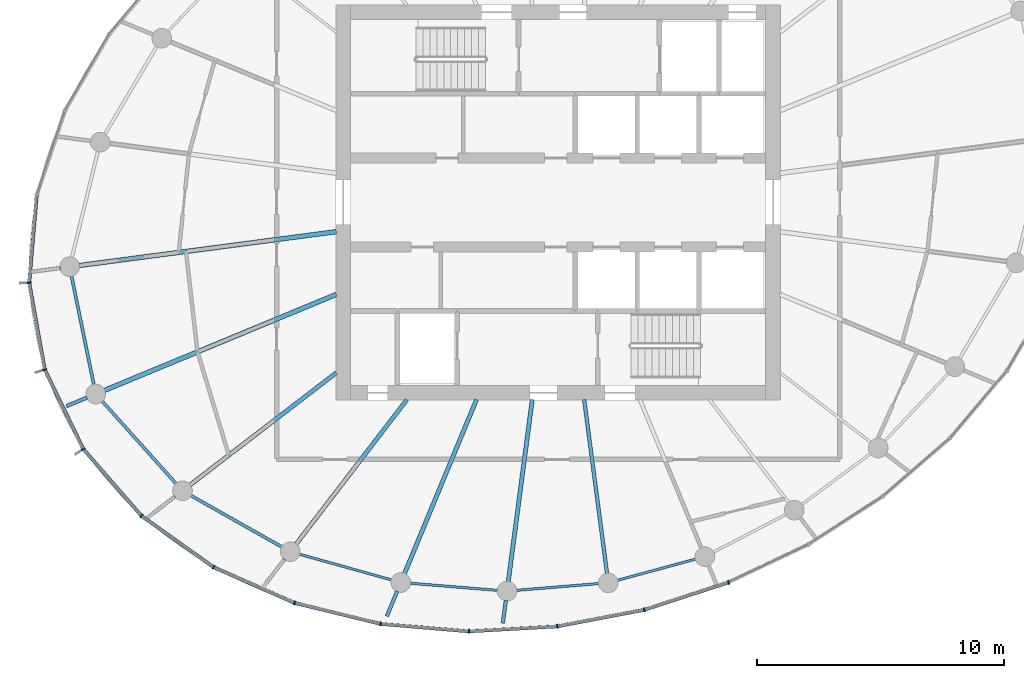
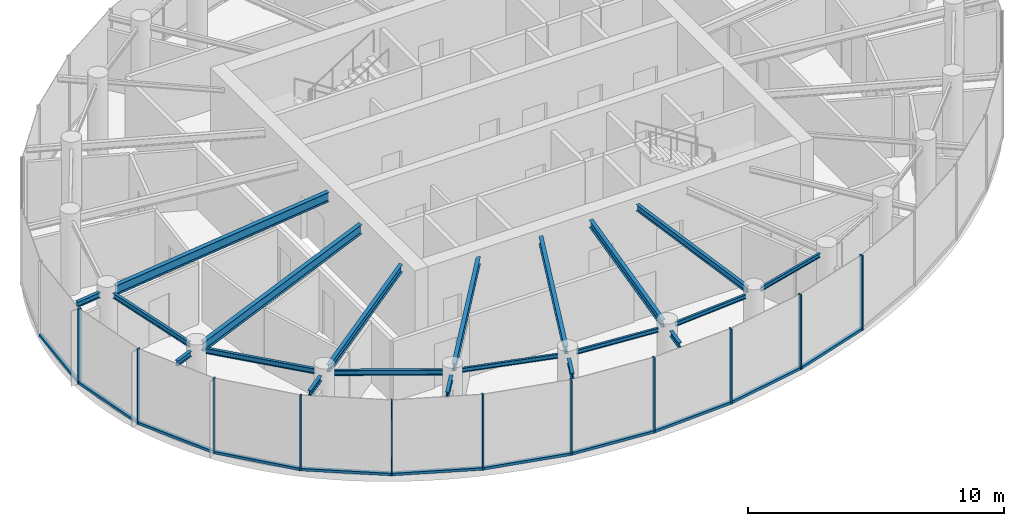
# One storey, part 2 of 13: 22 members, 20 beams, 3 elements without a shape of their own.
"""IFC4 building model written with IfcOpenShell, lengths in metres."""

from ifc_helpers import new_model, si_unit, direction, frame, origin, origin_2d, place, context, subcontext, project, spatial, rectangle, i_section, extrude, source, transform, mapped, material, layer, layer_set, material_profile, profile_set, type_object, element, aggregate, save


model = new_model("IFC4")

# Units and contexts
model_context = context("Model", 3, precision=1e-05, world=origin(), true_north=direction((0.0, 1.0)))
body_context = subcontext(model_context, "Body", "Model", "MODEL_VIEW")
ifc_project = project(units=[si_unit("LENGTHUNIT", "METRE"), si_unit("AREAUNIT", "SQUARE_METRE"), si_unit("VOLUMEUNIT", "CUBIC_METRE"), si_unit("PLANEANGLEUNIT", "RADIAN"), si_unit("MASSUNIT", "GRAM", prefix="KILO")], contexts=[model_context])

# Site, building, storey
site_placement = place(None, origin())
site = spatial("IfcSite", under=ifc_project, at=site_placement, CompositionType="ELEMENT")
building_placement = place(site_placement, origin())
building = spatial("IfcBuilding", under=site, at=building_placement, Name="Spindrift Exchange Tower", CompositionType="ELEMENT")
storey_placement = place(building_placement, frame((0.0, 0.0, 250.10009765625)))
storey = spatial("IfcBuildingStorey", under=building, at=storey_placement, Name="L61", CompositionType="ELEMENT", Elevation=250.10009765625)

# Beams
ifc_material_1 = material(Name="Steel Grade 300", Category="steel")
ifc_material_profile_1 = material_profile(ifc_material_1, i_section(OverallWidth=0.18994140625, OverallDepth=0.4541015625, WebThickness=0.008544921875, FlangeThickness=0.0126953125, FilletRadius=0.013916015625, at=origin_2d()), Name="460UB67.1")
ifc_profile_set_1 = profile_set([ifc_material_profile_1], Name="Steel Grade 300")
beam_type_1 = type_object("IfcBeamType", Name="Floor Beam 460UB67.1 Steel Grade 300", PredefinedType="BEAM", material=ifc_profile_set_1)
shared_shape_1 = source(origin(), body_context, "Body", "SweptSolid", [
    extrude(i_section(OverallWidth=0.18994140625, OverallDepth=0.4541015625, WebThickness=0.008544921875, FlangeThickness=0.0126953125, FilletRadius=0.013916015625, at=origin_2d()), origin(), (0.0, 0.0, 1.0), 10.510009765625),
])
beam_1_placement = place(storey_placement, frame((43.019775390625, 46.817626953125, 3.352783203125), z_axis=(-0.991445042488, -0.130524816516, 0.0), x_axis=(0.130524816516, -0.991445042488, 0.0)))
element("IfcBeam", 1, at=beam_1_placement, inside=storey, type_object=beam_type_1, Name="L61 radial beam R13A", PredefinedType="BEAM", context=body_context, shape_type="MappedRepresentation", body=[
    mapped(shared_shape_1, transform((0.0, 0.0, 0.0), scale=1.0)),
])
shared_shape_2 = source(origin(), body_context, "Body", "SweptSolid", [
    extrude(i_section(OverallWidth=0.18994140625, OverallDepth=0.4541015625, WebThickness=0.008544921875, FlangeThickness=0.0126953125, FilletRadius=0.013916015625, at=origin_2d()), origin(), (0.0, 0.0, 1.0), 10.160400390625),
])
beam_2_placement = place(storey_placement, frame((43.0185546875, 44.27978515625, 3.352783203125), z_axis=(-0.923880358773, -0.382681437588, 0.0), x_axis=(0.382681437588, -0.923880358773, 0.0)))
element("IfcBeam", 2, at=beam_2_placement, inside=storey, type_object=beam_type_1, Name="L61 radial beam R14A", PredefinedType="BEAM", context=body_context, shape_type="MappedRepresentation", body=[
    mapped(shared_shape_2, transform((0.0, 0.0, 0.0), scale=1.0)),
])
ifc_material_profile_2 = material_profile(ifc_material_1, i_section(OverallWidth=0.1708984375, OverallDepth=0.35205078125, WebThickness=0.0068359375, FlangeThickness=0.009765625, FilletRadius=0.013916015625, at=origin_2d()), Name="360UB44.7")
ifc_profile_set_2 = profile_set([ifc_material_profile_2], Name="Steel Grade 300")
beam_type_2 = type_object("IfcBeamType", Name="Floor Beam 360UB44.7 Steel Grade 300", PredefinedType="BEAM", material=ifc_profile_set_2)
shared_shape_3 = source(origin(), body_context, "Body", "SweptSolid", [
    extrude(i_section(OverallWidth=0.1708984375, OverallDepth=0.35205078125, WebThickness=0.0068359375, FlangeThickness=0.009765625, FilletRadius=0.013916015625, at=origin_2d()), origin(), (0.0, 0.0, 1.0), 7.466796875),
])
beam_3_placement = place(storey_placement, frame((43.015869140625, 41.106201171875, 3.40380859375), z_axis=(-0.793360004804, -0.608752743548, 0.0), x_axis=(0.608752743548, -0.793360004804, 0.0)))
element("IfcBeam", 3, at=beam_3_placement, inside=storey, type_object=beam_type_2, Name="L61 radial beam R15A", PredefinedType="BEAM", context=body_context, shape_type="MappedRepresentation", body=[
    mapped(shared_shape_3, transform((0.0, 0.0, 0.0), scale=1.0)),
])
shared_shape_4 = source(origin(), body_context, "Body", "SweptSolid", [
    extrude(i_section(OverallWidth=0.1708984375, OverallDepth=0.35205078125, WebThickness=0.0068359375, FlangeThickness=0.009765625, FilletRadius=0.013916015625, at=origin_2d()), origin(), (0.0, 0.0, 1.0), 7.3740234375),
])
beam_4_placement = place(storey_placement, frame((45.87353515625, 40.015869140625, 3.40380859375), z_axis=(-0.608751913917, -0.793360641387, 0.0), x_axis=(0.793360641387, -0.608751913917, 0.0)))
element("IfcBeam", 4, at=beam_4_placement, inside=storey, type_object=beam_type_2, Name="L61 radial beam R16A", PredefinedType="BEAM", context=body_context, shape_type="MappedRepresentation", body=[
    mapped(shared_shape_4, transform((0.0, 0.0, 0.0), scale=1.0)),
])
shared_shape_5 = source(origin(), body_context, "Body", "SweptSolid", [
    extrude(i_section(OverallWidth=0.1708984375, OverallDepth=0.35205078125, WebThickness=0.0068359375, FlangeThickness=0.009765625, FilletRadius=0.013916015625, at=origin_2d()), origin(), (0.0, 0.0, 1.0), 7.630859375),
])
beam_5_placement = place(storey_placement, frame((48.69384765625, 40.0185546875, 3.40380859375), z_axis=(-0.382676740702, -0.92388230426, 0.0), x_axis=(0.92388230426, -0.382676740702, 0.0)))
element("IfcBeam", 5, at=beam_5_placement, inside=storey, type_object=beam_type_2, Name="L61 radial beam R17A", PredefinedType="BEAM", context=body_context, shape_type="MappedRepresentation", body=[
    mapped(shared_shape_5, transform((0.0, 0.0, 0.0), scale=1.0)),
])
shared_shape_6 = source(origin(), body_context, "Body", "SweptSolid", [
    extrude(i_section(OverallWidth=0.1708984375, OverallDepth=0.35205078125, WebThickness=0.0068359375, FlangeThickness=0.009765625, FilletRadius=0.013916015625, at=origin_2d()), origin(), (0.0, 0.0, 1.0), 7.43798828125),
])
beam_6_placement = place(storey_placement, frame((50.949462890625, 40.019775390625, 3.40380859375), z_axis=(-0.130540269579, -0.991443007953, 0.0), x_axis=(0.991443007953, -0.130540269579, 0.0)))
element("IfcBeam", 6, at=beam_6_placement, inside=storey, type_object=beam_type_2, Name="L61 radial beam R18A", PredefinedType="BEAM", context=body_context, shape_type="MappedRepresentation", body=[
    mapped(shared_shape_6, transform((0.0, 0.0, 0.0), scale=1.0)),
])
ifc_material_profile_3 = material_profile(ifc_material_1, i_section(OverallWidth=0.14892578125, OverallDepth=0.298095703125, WebThickness=0.005615234375, FlangeThickness=0.008056640625, FilletRadius=0.012939453125, at=origin_2d()), Name="310UB32.0")
ifc_profile_set_3 = profile_set([ifc_material_profile_3], Name="Steel Grade 300")
beam_type_3 = type_object("IfcBeamType", Name="Floor Beam 310UB32.0 Steel Grade 300", PredefinedType="BEAM", material=ifc_profile_set_3)
shared_shape_7 = source(origin(), body_context, "Body", "SweptSolid", [
    extrude(i_section(OverallWidth=0.14892578125, OverallDepth=0.298095703125, WebThickness=0.005615234375, FlangeThickness=0.008056640625, FilletRadius=0.012939453125, at=origin_2d()), origin(), (0.0, 0.0, 1.0), 7.099853515625),
])
beam_7_placement = place(storey_placement, frame((53.050537109375, 40.019775390625, 3.430908203125), z_axis=(0.130532789835, -0.991443992759, 0.0), x_axis=(0.991443992759, 0.130532789835, 0.0)))
element("IfcBeam", 7, at=beam_7_placement, inside=storey, type_object=beam_type_3, Name="L61 radial beam R19A", PredefinedType="BEAM", context=body_context, shape_type="MappedRepresentation", body=[
    mapped(shared_shape_7, transform((0.0, 0.0, 0.0), scale=1.0)),
])
ifc_material_profile_4 = material_profile(ifc_material_1, i_section(OverallWidth=0.1240234375, OverallDepth=0.248046875, WebThickness=0.0048828125, FlangeThickness=0.008056640625, FilletRadius=0.011962890625, at=origin_2d()), Name="250UB25.7")
ifc_profile_set_4 = profile_set([ifc_material_profile_4], Name="Steel Grade 300")
beam_type_4 = type_object("IfcBeamType", Name="Edge Beam 250UB25.7 Steel Grade 300", PredefinedType="SPANDREL", material=ifc_profile_set_4)
shared_shape_8 = source(origin(), body_context, "Body", "SweptSolid", [
    extrude(i_section(OverallWidth=0.1240234375, OverallDepth=0.248046875, WebThickness=0.0048828125, FlangeThickness=0.008056640625, FilletRadius=0.011962890625, at=origin_2d()), origin(), (0.0, 0.0, 1.0), 4.497802734375),
])
beam_8_placement = place(storey_placement, frame((32.299072265625, 45.024169921875, 3.455810546875), z_axis=(0.201217935785, -0.979546498293, 0.0), x_axis=(0.979546498293, 0.201217935785, 0.0)))
element("IfcBeam", 8, at=beam_8_placement, inside=storey, type_object=beam_type_4, Name="L61 edge beam E13", PredefinedType="SPANDREL", context=body_context, shape_type="MappedRepresentation", body=[
    mapped(shared_shape_8, transform((0.0, 0.0, 0.0), scale=1.0)),
])
shared_shape_9 = source(origin(), body_context, "Body", "SweptSolid", [
    extrude(i_section(OverallWidth=0.1240234375, OverallDepth=0.248046875, WebThickness=0.0048828125, FlangeThickness=0.008056640625, FilletRadius=0.011962890625, at=origin_2d()), origin(), (0.0, 0.0, 1.0), 4.499755859375),
])
beam_9_placement = place(storey_placement, frame((33.533935546875, 39.963134765625, 3.455810546875), z_axis=(0.667419502646, -0.744681950558, 0.0), x_axis=(0.744681950558, 0.667419502646, 0.0)))
element("IfcBeam", 9, at=beam_9_placement, inside=storey, type_object=beam_type_4, Name="L61 edge beam E14", PredefinedType="SPANDREL", context=body_context, shape_type="MappedRepresentation", body=[
    mapped(shared_shape_9, transform((0.0, 0.0, 0.0), scale=1.0)),
])
shared_shape_10 = source(origin(), body_context, "Body", "SweptSolid", [
    extrude(i_section(OverallWidth=0.1240234375, OverallDepth=0.248046875, WebThickness=0.0048828125, FlangeThickness=0.008056640625, FilletRadius=0.011962890625, at=origin_2d()), origin(), (0.0, 0.0, 1.0), 4.2509765625),
])
beam_10_placement = place(storey_placement, frame((37.121337890625, 36.142333984375, 3.455810546875), z_axis=(0.870615246867, -0.491964523033, 0.0), x_axis=(0.491964523033, 0.870615246867, 0.0)))
element("IfcBeam", 10, at=beam_10_placement, inside=storey, type_object=beam_type_4, Name="L61 edge beam E15", PredefinedType="SPANDREL", context=body_context, shape_type="MappedRepresentation", body=[
    mapped(shared_shape_10, transform((0.0, 0.0, 0.0), scale=1.0)),
])
ifc_material_profile_5 = material_profile(ifc_material_1, i_section(OverallWidth=0.09912109375, OverallDepth=0.197998046875, WebThickness=0.00439453125, FlangeThickness=0.007080078125, FilletRadius=0.010986328125, at=origin_2d()), Name="200UB18.2")
ifc_profile_set_5 = profile_set([ifc_material_profile_5], Name="Steel Grade 300")
beam_type_5 = type_object("IfcBeamType", Name="Edge Beam 200UB18.2 Steel Grade 300", PredefinedType="SPANDREL", material=ifc_profile_set_5)
shared_shape_11 = source(origin(), body_context, "Body", "SweptSolid", [
    extrude(i_section(OverallWidth=0.09912109375, OverallDepth=0.197998046875, WebThickness=0.00439453125, FlangeThickness=0.007080078125, FilletRadius=0.010986328125, at=origin_2d()), origin(), (0.0, 0.0, 1.0), 3.885498046875),
])
beam_11_placement = place(storey_placement, frame((41.519287109375, 33.761962890625, 3.48095703125), z_axis=(0.963333134661, -0.268308165482, 0.0), x_axis=(0.268308165482, 0.963333134661, 0.0)))
element("IfcBeam", 11, at=beam_11_placement, inside=storey, type_object=beam_type_5, Name="L61 edge beam E16", PredefinedType="SPANDREL", context=body_context, shape_type="MappedRepresentation", body=[
    mapped(shared_shape_11, transform((0.0, 0.0, 0.0), scale=1.0)),
])
shared_shape_12 = source(origin(), body_context, "Body", "SweptSolid", [
    extrude(i_section(OverallWidth=0.09912109375, OverallDepth=0.197998046875, WebThickness=0.00439453125, FlangeThickness=0.007080078125, FilletRadius=0.010986328125, at=origin_2d()), origin(), (0.0, 0.0, 1.0), 3.5546875),
])
beam_12_placement = place(storey_placement, frame((46.007080078125, 32.586669921875, 3.48095703125), z_axis=(0.996727103969, -0.080839842983, 0.0), x_axis=(0.080839842983, 0.996727103969, 0.0)))
element("IfcBeam", 12, at=beam_12_placement, inside=storey, type_object=beam_type_5, Name="L61 edge beam E17", PredefinedType="SPANDREL", context=body_context, shape_type="MappedRepresentation", body=[
    mapped(shared_shape_12, transform((0.0, 0.0, 0.0), scale=1.0)),
])
shared_shape_13 = source(origin(), body_context, "Body", "SweptSolid", [
    extrude(i_section(OverallWidth=0.09912109375, OverallDepth=0.197998046875, WebThickness=0.00439453125, FlangeThickness=0.007080078125, FilletRadius=0.010986328125, at=origin_2d()), origin(), (0.0, 0.0, 1.0), 3.351806640625),
])
beam_13_placement = place(storey_placement, frame((50.3076171875, 32.2998046875, 3.48095703125), z_axis=(0.996672670999, 0.081508201334, 0.0), x_axis=(-0.081508201334, 0.996672670999, 0.0)))
element("IfcBeam", 13, at=beam_13_placement, inside=storey, type_object=beam_type_5, Name="L61 edge beam E18", PredefinedType="SPANDREL", context=body_context, shape_type="MappedRepresentation", body=[
    mapped(shared_shape_13, transform((0.0, 0.0, 0.0), scale=1.0)),
])
shared_shape_14 = source(origin(), body_context, "Body", "SweptSolid", [
    extrude(i_section(OverallWidth=0.09912109375, OverallDepth=0.197998046875, WebThickness=0.00439453125, FlangeThickness=0.007080078125, FilletRadius=0.010986328125, at=origin_2d()), origin(), (0.0, 0.0, 1.0), 3.2919921875),
])
beam_14_placement = place(storey_placement, frame((54.3935546875, 32.70361328125, 3.48095703125), z_axis=(0.965045644564, 0.262081864896, 0.0), x_axis=(-0.262081864896, 0.965045644564, 0.0)))
element("IfcBeam", 14, at=beam_14_placement, inside=storey, type_object=beam_type_5, Name="L61 edge beam E19", PredefinedType="SPANDREL", context=body_context, shape_type="MappedRepresentation", body=[
    mapped(shared_shape_14, transform((0.0, 0.0, 0.0), scale=1.0)),
])
ifc_material_profile_6 = material_profile(ifc_material_1, i_section(OverallWidth=0.14599609375, OverallDepth=0.251953125, WebThickness=0.006103515625, FlangeThickness=0.008544921875, FilletRadius=0.011962890625, at=origin_2d()), Name="250UB31.4")
ifc_profile_set_6 = profile_set([ifc_material_profile_6], Name="Steel Grade 300")
beam_type_6 = type_object("IfcBeamType", Name="Cantilever Beam 250UB31.4 Steel Grade 300", PredefinedType="BEAM", material=ifc_profile_set_6)
shared_shape_15 = source(origin(), body_context, "Body", "SweptSolid", [
    extrude(i_section(OverallWidth=0.14599609375, OverallDepth=0.251953125, WebThickness=0.006103515625, FlangeThickness=0.008544921875, FilletRadius=0.011962890625, at=origin_2d()), origin(), (0.0, 0.0, 1.0), 1.12353515625),
])
beam_15_placement = place(storey_placement, frame((31.845947265625, 45.3466796875, 3.453857421875), z_axis=(-0.991437277643, -0.130583783446, 0.0), x_axis=(0.130583783446, -0.991437277643, 0.0)))
element("IfcBeam", 15, at=beam_15_placement, inside=storey, type_object=beam_type_6, Name="L61 cantilever beam R13T", PredefinedType="BEAM", context=body_context, shape_type="MappedRepresentation", body=[
    mapped(shared_shape_15, transform((0.0, 0.0, 0.0), scale=1.0)),
])
shared_shape_16 = source(origin(), body_context, "Body", "SweptSolid", [
    extrude(i_section(OverallWidth=0.14599609375, OverallDepth=0.251953125, WebThickness=0.006103515625, FlangeThickness=0.008544921875, FilletRadius=0.011962890625, at=origin_2d()), origin(), (0.0, 0.0, 1.0), 0.902099609375),
])
beam_16_placement = place(storey_placement, frame((32.92919921875, 40.1005859375, 3.453857421875), z_axis=(-0.923891501573, -0.382654535215, 0.0), x_axis=(0.382654535215, -0.923891501573, 0.0)))
element("IfcBeam", 16, at=beam_16_placement, inside=storey, type_object=beam_type_6, Name="L61 cantilever beam R14T", PredefinedType="BEAM", context=body_context, shape_type="MappedRepresentation", body=[
    mapped(shared_shape_16, transform((0.0, 0.0, 0.0), scale=1.0)),
])
shared_shape_17 = source(origin(), body_context, "Body", "SweptSolid", [
    extrude(i_section(OverallWidth=0.14599609375, OverallDepth=0.251953125, WebThickness=0.006103515625, FlangeThickness=0.008544921875, FilletRadius=0.011962890625, at=origin_2d()), origin(), (0.0, 0.0, 1.0), 1.1611328125),
])
beam_17_placement = place(storey_placement, frame((36.489013671875, 36.09814453125, 3.453857421875), z_axis=(-0.793264454879, -0.608877249226, 0.0), x_axis=(0.608877249226, -0.793264454879, 0.0)))
element("IfcBeam", 17, at=beam_17_placement, inside=storey, type_object=beam_type_6, Name="L61 cantilever beam R15T", PredefinedType="BEAM", context=body_context, shape_type="MappedRepresentation", body=[
    mapped(shared_shape_17, transform((0.0, 0.0, 0.0), scale=1.0)),
])
shared_shape_18 = source(origin(), body_context, "Body", "SweptSolid", [
    extrude(i_section(OverallWidth=0.14599609375, OverallDepth=0.251953125, WebThickness=0.006103515625, FlangeThickness=0.008544921875, FilletRadius=0.011962890625, at=origin_2d()), origin(), (0.0, 0.0, 1.0), 1.20556640625),
])
beam_18_placement = place(storey_placement, frame((40.921630859375, 33.5625, 3.453857421875), z_axis=(-0.608712085113, -0.793391200756, 0.0), x_axis=(0.793391200756, -0.608712085113, 0.0)))
element("IfcBeam", 18, at=beam_18_placement, inside=storey, type_object=beam_type_6, Name="L61 cantilever beam R16T", PredefinedType="BEAM", context=body_context, shape_type="MappedRepresentation", body=[
    mapped(shared_shape_18, transform((0.0, 0.0, 0.0), scale=1.0)),
])
shared_shape_19 = source(origin(), body_context, "Body", "SweptSolid", [
    extrude(i_section(OverallWidth=0.14599609375, OverallDepth=0.251953125, WebThickness=0.006103515625, FlangeThickness=0.008544921875, FilletRadius=0.011962890625, at=origin_2d()), origin(), (0.0, 0.0, 1.0), 1.097412109375),
])
beam_19_placement = place(storey_placement, frame((45.48291015625, 32.266357421875, 3.453857421875), z_axis=(-0.382639962415, -0.923897537156, 0.0), x_axis=(0.923897537156, -0.382639962415, 0.0)))
element("IfcBeam", 19, at=beam_19_placement, inside=storey, type_object=beam_type_6, Name="L61 cantilever beam R17T", PredefinedType="BEAM", context=body_context, shape_type="MappedRepresentation", body=[
    mapped(shared_shape_19, transform((0.0, 0.0, 0.0), scale=1.0)),
])
shared_shape_20 = source(origin(), body_context, "Body", "SweptSolid", [
    extrude(i_section(OverallWidth=0.14599609375, OverallDepth=0.251953125, WebThickness=0.006103515625, FlangeThickness=0.008544921875, FilletRadius=0.011962890625, at=origin_2d()), origin(), (0.0, 0.0, 1.0), 0.93115234375),
])
beam_20_placement = place(storey_placement, frame((49.87939453125, 31.891845703125, 3.453857421875), z_axis=(-0.130583388046, -0.991437329722, 0.0), x_axis=(0.991437329722, -0.130583388046, 0.0)))
element("IfcBeam", 20, at=beam_20_placement, inside=storey, type_object=beam_type_6, Name="L61 cantilever beam R18T", PredefinedType="BEAM", context=body_context, shape_type="MappedRepresentation", body=[
    mapped(shared_shape_20, transform((0.0, 0.0, 0.0), scale=1.0)),
])

# Curtain wall, members
ifc_material_2 = material(Name="Fritted laminated glass with bronze frame", Category="glass")
ifc_layer = layer(ifc_material_2, 0.159912109375)
ifc_layer_set = layer_set([ifc_layer], Name="ZONE 5 BRONZE FRITTED WALL")
curtain_wall_type = type_object("IfcCurtainWallType", Name="ZONE 5 BRONZE FRITTED WALL", PredefinedType="NOTDEFINED", material=ifc_layer_set)
curtain_wall_1_placement = place(storey_placement, origin())
curtain_wall_1 = element("IfcCurtainWall", 21, at=curtain_wall_1_placement, inside=storey, type_object=curtain_wall_type, Name="L61 Zone 5 Bronze Fritted Wall run 5", PredefinedType="NOTDEFINED")
ifc_material_3 = material(Name="Bronze anodised aluminium", Category="aluminium")
ifc_material_profile_7 = material_profile(ifc_material_3, rectangle(XDim=0.139892578125, YDim=0.1201171875, at=origin_2d()), Name="ZONE 5 BRONZE FRITTED WALL TRANSOM 140X120")
ifc_profile_set_7 = profile_set([ifc_material_profile_7], Name="Bronze anodised aluminium")
member_type_1 = type_object("IfcMemberType", Name="ZONE 5 BRONZE FRITTED WALL TRANSOM 140X120", PredefinedType="USERDEFINED", material=ifc_profile_set_7)
shared_shape_21 = source(origin(), body_context, "Body", "SweptSolid", [
    extrude(rectangle(XDim=0.139892578125, YDim=0.1201171875, at=origin_2d()), origin(), (0.0, 0.0, 1.0), 3.5263671875),
])
member_1_placement = place(storey_placement, frame((51.9921875, 30.8466796875, 0.059814453125), z_axis=(0.982425721286, 0.186653963678, 0.0), x_axis=(-0.186653963678, 0.982425721286, 0.0)))
member_1 = element("IfcMember", 22, at=member_1_placement, type_object=member_type_1, Name="L61 transom CW-5.25", ObjectType="TRANSOM", PredefinedType="USERDEFINED", context=body_context, shape_type="MappedRepresentation", body=[
    mapped(shared_shape_21, transform((0.0, 0.0, 0.0), scale=1.0)),
])
member_2_placement = place(storey_placement, frame((55.514404296875, 31.519775390625, 0.059814453125), z_axis=(0.950821179804, 0.309740349384, 0.0), x_axis=(-0.309740349384, 0.950821179804, 0.0)))
member_2 = element("IfcMember", 23, at=member_2_placement, type_object=member_type_1, Name="L61 transom CW-5.26", ObjectType="TRANSOM", PredefinedType="USERDEFINED", context=body_context, shape_type="MappedRepresentation", body=[
    mapped(shared_shape_21, transform((0.0, 0.0, 0.0), scale=1.0)),
])

# Curtain wall, member
curtain_wall_2_placement = place(storey_placement, origin())
curtain_wall_2 = element("IfcCurtainWall", 24, at=curtain_wall_2_placement, inside=storey, type_object=curtain_wall_type, Name="L61 Zone 5 Bronze Fritted Wall run 4", PredefinedType="NOTDEFINED")
shared_shape_22 = source(origin(), body_context, "Body", "SweptSolid", [
    extrude(rectangle(XDim=0.139892578125, YDim=0.1201171875, at=origin_2d()), origin(), (0.0, 0.0, 1.0), 3.525390625),
])
member_3_placement = place(storey_placement, frame((44.839599609375, 30.93798828125, 0.059814453125), z_axis=(0.996459740434, -0.084071313148, 0.0), x_axis=(0.084071313148, 0.996459740434, 0.0)))
member_3 = element("IfcMember", 25, at=member_3_placement, type_object=member_type_1, Name="L61 transom CW-5.23", ObjectType="TRANSOM", PredefinedType="USERDEFINED", context=body_context, shape_type="MappedRepresentation", body=[
    mapped(shared_shape_22, transform((0.0, 0.0, 0.0), scale=1.0)),
])

curtain_wall_3_placement = place(storey_placement, origin())
curtain_wall_3 = element("IfcCurtainWall", 26, at=curtain_wall_3_placement, inside=storey, type_object=curtain_wall_type, Name="L61 Zone 5 Bronze Fritted Wall run 3", PredefinedType="NOTDEFINED")
shared_shape_23 = source(origin(), body_context, "Body", "SweptSolid", [
    extrude(rectangle(XDim=0.139892578125, YDim=0.1201171875, at=origin_2d()), origin(), (0.0, 0.0, 1.0), 3.519287109375),
])
member_4_placement = place(storey_placement, frame((30.89111328125, 48.286376953125, 0.059814453125), z_axis=(-0.086300316493, -0.996269168133, 0.0), x_axis=(0.996269168133, -0.086300316493, 0.0)))
member_4 = element("IfcMember", 27, at=member_4_placement, type_object=member_type_1, Name="L61 transom CW-5.16", ObjectType="TRANSOM", PredefinedType="USERDEFINED", context=body_context, shape_type="MappedRepresentation", body=[
    mapped(shared_shape_23, transform((0.0, 0.0, 0.0), scale=1.0)),
])

# Member
member_5_placement = place(storey_placement, frame((32.7998046875, 37.989013671875, 0.059814453125), z_axis=(0.656616573559, -0.754224552323, 0.0), x_axis=(0.754224552323, 0.656616573559, 0.0)))
member_5 = element("IfcMember", 28, at=member_5_placement, type_object=member_type_1, Name="L61 transom CW-5.19", ObjectType="TRANSOM", PredefinedType="USERDEFINED", context=body_context, shape_type="MappedRepresentation", body=[
    mapped(shared_shape_23, transform((0.0, 0.0, 0.0), scale=1.0)),
])

shared_shape_24 = source(origin(), body_context, "Body", "SweptSolid", [
    extrude(rectangle(XDim=0.139892578125, YDim=0.1201171875, at=origin_2d()), origin(), (0.0, 0.0, 1.0), 3.526123046875),
])
member_6_placement = place(storey_placement, frame((48.412353515625, 30.640869140625, 0.059814453125), z_axis=(0.998414425295, 0.056290632993, 0.0), x_axis=(-0.056290632993, 0.998414425295, 0.0)))
member_6 = element("IfcMember", 29, at=member_6_placement, type_object=member_type_1, Name="L61 transom CW-5.24", ObjectType="TRANSOM", PredefinedType="USERDEFINED", context=body_context, shape_type="MappedRepresentation", body=[
    mapped(shared_shape_24, transform((0.0, 0.0, 0.0), scale=1.0)),
])

shared_shape_25 = source(origin(), body_context, "Body", "SweptSolid", [
    extrude(rectangle(XDim=0.139892578125, YDim=0.1201171875, at=origin_2d()), origin(), (0.0, 0.0, 1.0), 3.517578125),
])
member_7_placement = place(storey_placement, frame((30.590087890625, 44.720947265625, 0.059814453125), z_axis=(0.176295085342, -0.984337362333, 0.0), x_axis=(0.984337362333, 0.176295085342, 0.0)))
member_7 = element("IfcMember", 30, at=member_7_placement, type_object=member_type_1, Name="L61 transom CW-5.17", ObjectType="TRANSOM", PredefinedType="USERDEFINED", context=body_context, shape_type="MappedRepresentation", body=[
    mapped(shared_shape_25, transform((0.0, 0.0, 0.0), scale=1.0)),
])

member_8_placement = place(storey_placement, frame((31.228759765625, 41.201904296875, 0.059814453125), z_axis=(0.437330713452, -0.899300754515, 0.0), x_axis=(0.899300754515, 0.437330713452, 0.0)))
member_8 = element("IfcMember", 31, at=member_8_placement, type_object=member_type_1, Name="L61 transom CW-5.18", ObjectType="TRANSOM", PredefinedType="USERDEFINED", context=body_context, shape_type="MappedRepresentation", body=[
    mapped(shared_shape_25, transform((0.0, 0.0, 0.0), scale=1.0)),
])

ifc_material_profile_8 = material_profile(ifc_material_3, rectangle(XDim=0.06005859375, YDim=0.159912109375, at=origin_2d()), Name="ZONE 5 BRONZE FRITTED WALL MULLION 60X160")
ifc_profile_set_8 = profile_set([ifc_material_profile_8], Name="Bronze anodised aluminium")
member_type_2 = type_object("IfcMemberType", Name="ZONE 5 BRONZE FRITTED WALL MULLION 60X160", PredefinedType="MULLION", material=ifc_profile_set_8)
shared_shape_26 = source(origin(), body_context, "Body", "SweptSolid", [
    extrude(rectangle(XDim=0.06005859375, YDim=0.159912109375, at=origin_2d()), origin(), (0.0, 0.0, 1.0), 3.579833984375),
])
member_9_placement = place(storey_placement, frame((30.584716796875, 44.75048828125, 0.0), z_axis=(0.0, 0.0, 1.0), x_axis=(0.045389321732, -0.998969373641, 0.0)))
member_9 = element("IfcMember", 32, at=member_9_placement, type_object=member_type_2, Name="L61 mullion CW-5.17", PredefinedType="MULLION", context=body_context, shape_type="MappedRepresentation", body=[
    mapped(shared_shape_26, transform((0.0, 0.0, 0.0), scale=1.0)),
])

member_10_placement = place(storey_placement, frame((31.215576171875, 41.22900390625, 0.0), z_axis=(0.0, 0.0, 1.0), x_axis=(0.309761900434, -0.950814159045, 0.0)))
member_10 = element("IfcMember", 33, at=member_10_placement, type_object=member_type_2, Name="L61 mullion CW-5.18", PredefinedType="MULLION", context=body_context, shape_type="MappedRepresentation", body=[
    mapped(shared_shape_26, transform((0.0, 0.0, 0.0), scale=1.0)),
])

aggregate(curtain_wall_3, [member_4, member_9, member_7, member_10, member_8])

member_11_placement = place(storey_placement, frame((32.780029296875, 38.01171875, 0.0), z_axis=(0.0, 0.0, 1.0), x_axis=(0.551751898727, -0.834008298671, 0.0)))
member_11 = element("IfcMember", 34, at=member_11_placement, type_object=member_type_2, Name="L61 mullion CW-5.19", PredefinedType="MULLION", context=body_context, shape_type="MappedRepresentation", body=[
    mapped(shared_shape_26, transform((0.0, 0.0, 0.0), scale=1.0)),
])

member_12_placement = place(storey_placement, frame((35.13037109375, 35.31201171875, 0.0), z_axis=(0.0, 0.0, 1.0), x_axis=(0.740741715292, -0.671789930875, 0.0)))
member_12 = element("IfcMember", 35, at=member_12_placement, type_object=member_type_2, Name="L61 mullion CW-5.20", PredefinedType="MULLION", context=body_context, shape_type="MappedRepresentation", body=[
    mapped(shared_shape_26, transform((0.0, 0.0, 0.0), scale=1.0)),
])

member_13_placement = place(storey_placement, frame((38.0478515625, 33.234619140625, 0.0), z_axis=(0.0, 0.0, 1.0), x_axis=(0.869340627482, -0.494213388536, 0.0)))
member_13 = element("IfcMember", 36, at=member_13_placement, type_object=member_type_2, Name="L61 mullion CW-5.21", PredefinedType="MULLION", context=body_context, shape_type="MappedRepresentation", body=[
    mapped(shared_shape_26, transform((0.0, 0.0, 0.0), scale=1.0)),
])

member_14_placement = place(storey_placement, frame((41.326904296875, 31.78955078125, 0.0), z_axis=(0.0, 0.0, 1.0), x_axis=(0.946977131243, -0.321300969347, 0.0)))
member_14 = element("IfcMember", 37, at=member_14_placement, type_object=member_type_2, Name="L61 mullion CW-5.22", PredefinedType="MULLION", context=body_context, shape_type="MappedRepresentation", body=[
    mapped(shared_shape_26, transform((0.0, 0.0, 0.0), scale=1.0)),
])

member_15_placement = place(storey_placement, frame((44.8095703125, 30.9404296875, 0.0), z_axis=(0.0, 0.0, 1.0), x_axis=(0.986967477053, -0.160919853465, 0.0)))
member_15 = element("IfcMember", 38, at=member_15_placement, type_object=member_type_2, Name="L61 mullion CW-5.23", PredefinedType="MULLION", context=body_context, shape_type="MappedRepresentation", body=[
    mapped(shared_shape_26, transform((0.0, 0.0, 0.0), scale=1.0)),
])

member_16_placement = place(storey_placement, frame((48.38232421875, 30.63916015625, 0.0), z_axis=(0.0, 0.0, 1.0), x_axis=(0.999903190039, -0.013914400833, 0.0)))
member_16 = element("IfcMember", 39, at=member_16_placement, type_object=member_type_2, Name="L61 mullion CW-5.24", PredefinedType="MULLION", context=body_context, shape_type="MappedRepresentation", body=[
    mapped(shared_shape_26, transform((0.0, 0.0, 0.0), scale=1.0)),
])

member_17_placement = place(storey_placement, frame((51.962890625, 30.841064453125, 0.0), z_axis=(0.0, 0.0, 1.0), x_axis=(0.992561748726, 0.121742248077, 0.0)))
member_17 = element("IfcMember", 40, at=member_17_placement, type_object=member_type_2, Name="L61 mullion CW-5.25", PredefinedType="MULLION", context=body_context, shape_type="MappedRepresentation", body=[
    mapped(shared_shape_26, transform((0.0, 0.0, 0.0), scale=1.0)),
])

member_18_placement = place(storey_placement, frame((55.486083984375, 31.510498046875, 0.0), z_axis=(0.0, 0.0, 1.0), x_axis=(0.96857705904, 0.248713652023, 0.0)))
member_18 = element("IfcMember", 41, at=member_18_placement, type_object=member_type_2, Name="L61 mullion CW-5.26", PredefinedType="MULLION", context=body_context, shape_type="MappedRepresentation", body=[
    mapped(shared_shape_26, transform((0.0, 0.0, 0.0), scale=1.0)),
])

member_19_placement = place(storey_placement, frame((58.89599609375, 32.621337890625, 0.0), z_axis=(0.0, 0.0, 1.0), x_axis=(0.929214975689, 0.369539617571, 0.0)))
member_19 = element("IfcMember", 42, at=member_19_placement, type_object=member_type_2, Name="L61 mullion CW-5.27", PredefinedType="MULLION", context=body_context, shape_type="MappedRepresentation", body=[
    mapped(shared_shape_26, transform((0.0, 0.0, 0.0), scale=1.0)),
])

aggregate(curtain_wall_1, [member_17, member_1, member_18, member_2, member_19])

shared_shape_27 = source(origin(), body_context, "Body", "SweptSolid", [
    extrude(rectangle(XDim=0.139892578125, YDim=0.1201171875, at=origin_2d()), origin(), (0.0, 0.0, 1.0), 3.52490234375),
])
member_20_placement = place(storey_placement, frame((41.35595703125, 31.782470703125, 0.059814453125), z_axis=(0.97153978024, -0.236876456008, 0.0), x_axis=(0.236876456008, 0.97153978024, 0.0)))
member_20 = element("IfcMember", 43, at=member_20_placement, type_object=member_type_1, Name="L61 transom CW-5.22", ObjectType="TRANSOM", PredefinedType="USERDEFINED", context=body_context, shape_type="MappedRepresentation", body=[
    mapped(shared_shape_27, transform((0.0, 0.0, 0.0), scale=1.0)),
])

shared_shape_28 = source(origin(), body_context, "Body", "SweptSolid", [
    extrude(rectangle(XDim=0.139892578125, YDim=0.1201171875, at=origin_2d()), origin(), (0.0, 0.0, 1.0), 3.523681640625),
])
member_21_placement = place(storey_placement, frame((38.0751953125, 33.222412109375, 0.059814453125), z_axis=(0.915087052789, -0.403256352482, 0.0), x_axis=(0.403256352482, 0.915087052789, 0.0)))
member_21 = element("IfcMember", 44, at=member_21_placement, type_object=member_type_1, Name="L61 transom CW-5.21", ObjectType="TRANSOM", PredefinedType="USERDEFINED", context=body_context, shape_type="MappedRepresentation", body=[
    mapped(shared_shape_28, transform((0.0, 0.0, 0.0), scale=1.0)),
])

shared_shape_29 = source(origin(), body_context, "Body", "SweptSolid", [
    extrude(rectangle(XDim=0.139892578125, YDim=0.1201171875, at=origin_2d()), origin(), (0.0, 0.0, 1.0), 3.521728515625),
])
member_22_placement = place(storey_placement, frame((35.15478515625, 35.294677734375, 0.059814453125), z_axis=(0.814580443686, -0.5800506019, 0.0), x_axis=(0.5800506019, 0.814580443686, 0.0)))
member_22 = element("IfcMember", 45, at=member_22_placement, type_object=member_type_1, Name="L61 transom CW-5.20", ObjectType="TRANSOM", PredefinedType="USERDEFINED", context=body_context, shape_type="MappedRepresentation", body=[
    mapped(shared_shape_29, transform((0.0, 0.0, 0.0), scale=1.0)),
])

aggregate(curtain_wall_2, [member_11, member_5, member_12, member_22, member_13, member_21, member_14, member_20, member_15, member_3, member_16, member_6])

save(model, "model.ifc")
